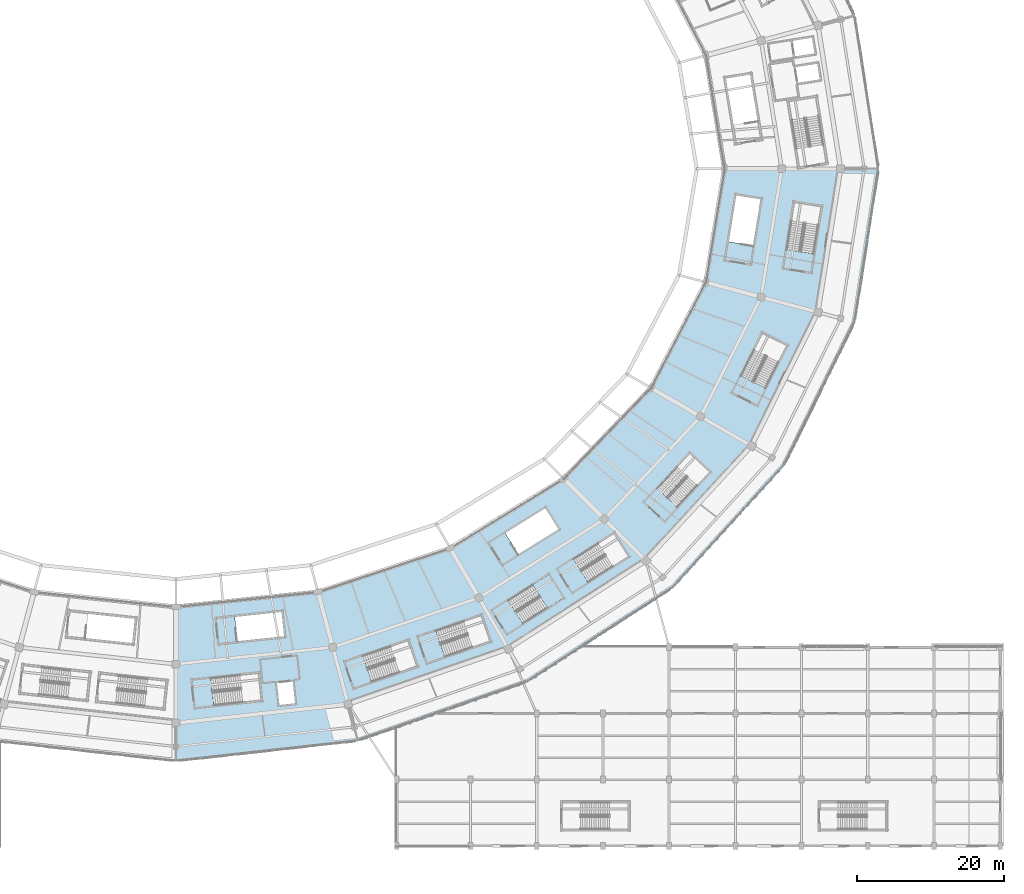
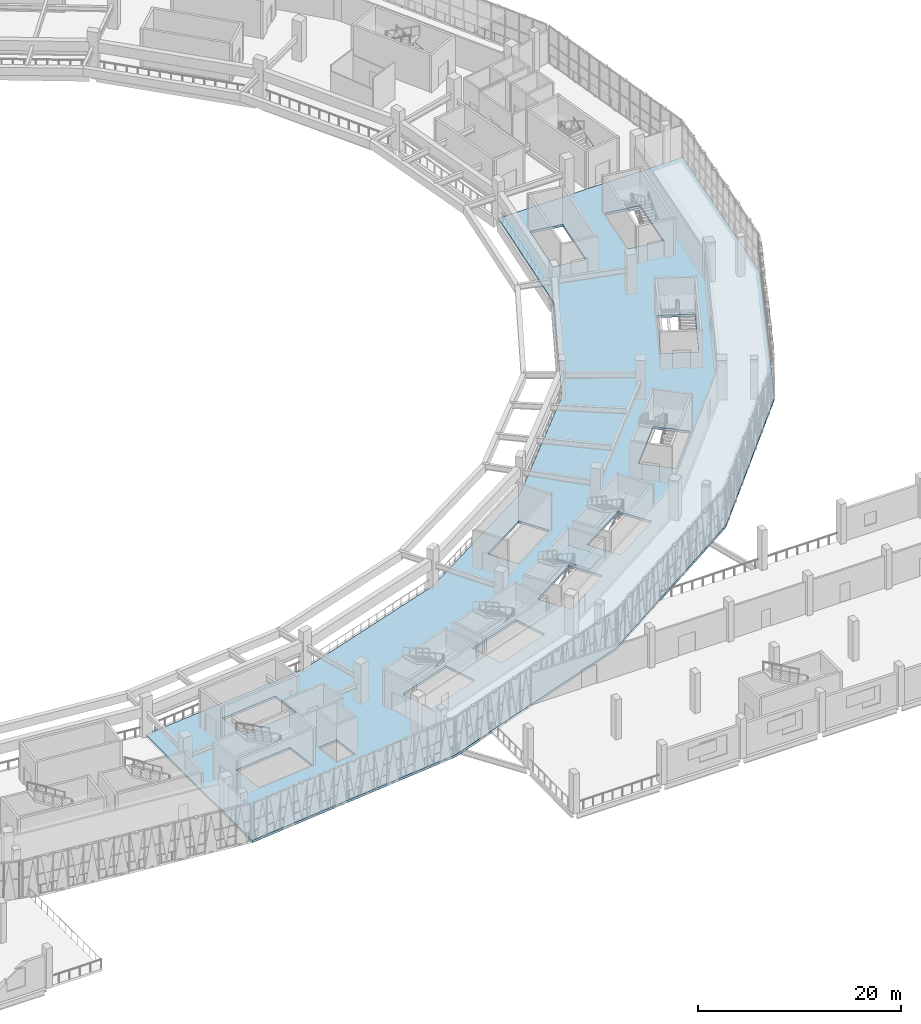
# One storey, part 84 of 179: 2 slabs, 1 element without a shape of its own.
"""IFC4 building model written with IfcOpenShell, lengths in metres."""

import ifcopenshell
import ifcopenshell.guid

model = None  # the IFC model being written
_history = None  # IfcOwnerHistory: only IFC2X3 demands one
_inside = {}  # id of a spatial element -> (the spatial element, [elements in it])
_under = {}  # id of a project, library or spatial element -> (it, [spatial elements below it])
_declared = {}  # id of a project -> (the project, [libraries it declares])
_typed = {}  # id of a type object -> (the type object, [elements of that type])
_made_of = {}  # id of a material, layer set ... -> (it, [elements and type objects made of it])


def new_model(schema):
    """Start an empty IFC model of exactly this schema.

    Asked for "IFC4X3", IfcOpenShell would pick the latest addendum, in which some entities
    have other attributes; the version numbers below select the first issue.
    IFC2X3 requires an IfcOwnerHistory on every rooted entity: one is made here for all.
    """
    global model, _history
    if schema == "IFC4X3":
        model = ifcopenshell.file(schema_version=(4, 3, 0, 0))
    else:
        model = ifcopenshell.file(schema=schema)
    _inside.clear()
    _under.clear()
    _declared.clear()
    _typed.clear()
    _made_of.clear()
    _history = None
    if model.schema == "IFC2X3":
        org = make("IfcOrganization", Name="unknown")
        user = make(
            "IfcPersonAndOrganization",
            ThePerson=make("IfcPerson", FamilyName="unknown"),
            TheOrganization=org,
        )
        app = make(
            "IfcApplication",
            ApplicationDeveloper=org,
            Version="unknown",
            ApplicationFullName="unknown",
            ApplicationIdentifier="unknown",
        )
        _history = make(
            "IfcOwnerHistory",
            OwningUser=user,
            OwningApplication=app,
            ChangeAction="ADDED",
            CreationDate=0,
        )
    return model


def make(cls, **values):
    """One entity of the class cls with the attributes given. An attribute that is None is left unset."""
    return model.create_entity(
        cls, **{name: value for name, value in values.items() if value is not None}
    )


def rooted(cls, **values):
    """An entity with a GlobalId (a new one), such as an element, a storey or a relation."""
    return make(cls, GlobalId=ifcopenshell.guid.new(), OwnerHistory=_history, **values)


def si_unit(unit_type, name, prefix=None):
    """IfcSIUnit, for example si_unit("LENGTHUNIT", "METRE", prefix="MILLI")."""
    return make("IfcSIUnit", UnitType=unit_type, Prefix=prefix, Name=name)


def assignment(units):
    """IfcUnitAssignment: the units of a project."""
    return None if units is None else make("IfcUnitAssignment", Units=units)


def point(xyz):
    """IfcCartesianPoint."""
    return None if xyz is None else make("IfcCartesianPoint", Coordinates=xyz)


def direction(xyz):
    """IfcDirection."""
    return None if xyz is None else make("IfcDirection", DirectionRatios=xyz)


def frame(location, z_axis=None, x_axis=None):
    """IfcAxis2Placement3D, a coordinate frame: its origin and axes. An axis left out is left unset."""
    return make(
        "IfcAxis2Placement3D",
        Location=point(location),
        Axis=direction(z_axis),
        RefDirection=direction(x_axis),
    )


def origin():
    """The frame at (0, 0, 0) with its axes left unset."""
    return frame((0.0, 0.0, 0.0))


def place(relative_to, where):
    """IfcLocalPlacement: puts the frame where relative to a parent placement (None: the world)."""
    return make(
        "IfcLocalPlacement", PlacementRelTo=relative_to, RelativePlacement=where
    )


def context(
    kind, dimensions, precision=None, world=None, true_north=None, identifier=None
):
    """IfcGeometricRepresentationContext, for example the 3D "Model" context."""
    return make(
        "IfcGeometricRepresentationContext",
        ContextIdentifier=identifier,
        ContextType=kind,
        CoordinateSpaceDimension=dimensions,
        Precision=precision,
        WorldCoordinateSystem=world,
        TrueNorth=true_north,
    )


def subcontext(parent, identifier, kind, view, scale=None):
    """IfcGeometricRepresentationSubContext, for example "Body" below "Model"."""
    return make(
        "IfcGeometricRepresentationSubContext",
        ContextIdentifier=identifier,
        ContextType=kind,
        ParentContext=parent,
        TargetScale=scale,
        TargetView=view,
    )


def project(units=None, contexts=None):
    """IfcProject with its units and contexts."""
    return rooted(
        "IfcProject",
        Name="project",
        RepresentationContexts=contexts,
        UnitsInContext=assignment(units),
    )


def spatial(cls, under=None, at=None, **own):
    """A site, building, storey or space (cls), placed at a placement, below another one or the project."""
    s = rooted(cls, ObjectPlacement=at, **own)
    if under is not None:
        _under.setdefault(under.id(), (under, []))[1].append(s)
    return s


def polyline(points):
    """IfcPolyline through the points."""
    return make("IfcPolyline", Points=[point(p) for p in points])


def outline(outer, holes=None, kind="AREA"):
    """IfcArbitraryClosedProfileDef: a profile drawn as a closed curve; with holes, ...WithVoids."""
    if holes is None:
        return make("IfcArbitraryClosedProfileDef", ProfileType=kind, OuterCurve=outer)
    return make(
        "IfcArbitraryProfileDefWithVoids",
        ProfileType=kind,
        OuterCurve=outer,
        InnerCurves=holes,
    )


def extrude(swept, where, along, depth):
    """IfcExtrudedAreaSolid: the profile swept, set in the frame where, extruded along a direction by depth."""
    return make(
        "IfcExtrudedAreaSolid",
        SweptArea=swept,
        Position=where,
        ExtrudedDirection=direction(along),
        Depth=depth,
    )


def shape(context_of_items, identifier, shape_type, items):
    """IfcShapeRepresentation: the items that make up one representation, for example the "Body"."""
    return make(
        "IfcShapeRepresentation",
        ContextOfItems=context_of_items,
        RepresentationIdentifier=identifier,
        RepresentationType=shape_type,
        Items=items,
    )


def material(Name=None, Category=None):
    """IfcMaterial."""
    return make("IfcMaterial", Name=Name, Category=Category)


def layer(
    of_material, thickness, ventilated=None, Name=None, Category=None, Priority=None
):
    """IfcMaterialLayer: one layer of a wall or slab, of a material (None: an air gap)."""
    return make(
        "IfcMaterialLayer",
        Material=of_material,
        LayerThickness=thickness,
        IsVentilated=ventilated,
        Name=Name,
        Category=Category,
        Priority=Priority,
    )


def layer_set(layers, Name=None):
    """IfcMaterialLayerSet."""
    return make("IfcMaterialLayerSet", MaterialLayers=layers, LayerSetName=Name)


def made_of(thing, what):
    """Note that an element or type object is made of a material, layer set ...; save() writes the relation."""
    if what is not None:
        _made_of.setdefault(what.id(), (what, []))[1].append(thing)
    return thing


def type_object(cls, material=None, **own):
    """A type object (cls), such as IfcWallType, which elements share."""
    return made_of(rooted(cls, **own), material)


def element(
    cls,
    number,
    at=None,
    inside=None,
    cuts=None,
    type_object=None,
    material=None,
    context=None,
    identifier="Body",
    shape_type=None,
    held_by="IfcProductDefinitionShape",
    body=None,
    shapes=None,
    **own,
):
    """One element of the class cls, such as IfcWall. Its Tag is "e" and its number.

    at: its placement. inside: the storey or other place that contains it. cuts: it is an
    opening in that element (IfcRelVoidsElement). A single representation is given by context,
    identifier, shape_type and body (its items); several are given by shapes. held_by: the class
    of the entity that holds the representations. save() writes the other relations.
    """
    e = rooted(cls, Tag="e%d" % number, ObjectPlacement=at, **own)
    if body is not None:
        shapes = [shape(context, identifier, shape_type, body)]
    if shapes is not None:
        e.Representation = make(held_by, Representations=shapes)
    if inside is not None:
        _inside.setdefault(inside.id(), (inside, []))[1].append(e)
    if cuts is not None:
        rooted(
            "IfcRelVoidsElement", RelatingBuildingElement=cuts, RelatedOpeningElement=e
        )
    if type_object is not None:
        _typed.setdefault(type_object.id(), (type_object, []))[1].append(e)
    return made_of(e, material)


def aggregate(whole, parts):
    """IfcRelAggregates: a whole, such as a stair, and the parts it consists of."""
    return rooted("IfcRelAggregates", RelatingObject=whole, RelatedObjects=parts)


def save(model, path):
    """Write the relations noted so far, then the file.

    IfcRelAggregates (storeys below a building ...), IfcRelContainedInSpatialStructure (elements
    in a storey), IfcRelDefinesByType, IfcRelAssociatesMaterial and IfcRelDeclares: one each for
    every whole, place, type object, material and project.
    """
    for whole, parts in _under.values():
        aggregate(whole, parts)
    for where, things in _inside.values():
        rooted(
            "IfcRelContainedInSpatialStructure",
            RelatedElements=things,
            RelatingStructure=where,
        )
    for kind, things in _typed.values():
        rooted("IfcRelDefinesByType", RelatedObjects=things, RelatingType=kind)
    for what, things in _made_of.values():
        rooted("IfcRelAssociatesMaterial", RelatedObjects=things, RelatingMaterial=what)
    for by, libraries in _declared.values():
        rooted("IfcRelDeclares", RelatingContext=by, RelatedDefinitions=libraries)
    model.write(path)


model = new_model("IFC4")

# Units and contexts
model_context = context("Model", 3, precision=1e-05, world=origin(), true_north=direction((0.0, 1.0)))
body_context = subcontext(model_context, "Body", "Model", "MODEL_VIEW")
ifc_project = project(units=[si_unit("LENGTHUNIT", "METRE"), si_unit("AREAUNIT", "SQUARE_METRE"), si_unit("VOLUMEUNIT", "CUBIC_METRE"), si_unit("PLANEANGLEUNIT", "RADIAN"), si_unit("MASSUNIT", "GRAM", prefix="KILO")], contexts=[model_context])

# Site, building, storey
site_placement = place(None, origin())
site = spatial("IfcSite", under=ifc_project, at=site_placement, CompositionType="ELEMENT")
building_placement = place(site_placement, origin())
building = spatial("IfcBuilding", under=site, at=building_placement, Name="Zevraka Park Crest Stadium", CompositionType="ELEMENT")
storey_placement = place(building_placement, frame((0.0, 0.0, 10.199951171875)))
storey = spatial("IfcBuildingStorey", under=building, at=storey_placement, Name="L02", CompositionType="ELEMENT", Elevation=10.199951171875)

# Slab
ifc_material_1 = material(Name="Concrete C35/45", Category="concrete")
ifc_layer_1 = layer(ifc_material_1, 0.280029296875)
ifc_layer_set_1 = layer_set([ifc_layer_1], Name="Concrete C35/45")
slab_type_1 = type_object("IfcSlabType", Name="FS02", PredefinedType="FLOOR", material=ifc_layer_set_1)
slab_1_placement = place(storey_placement, frame((0.0, 0.0, -0.280029296875)))
element("IfcSlab", 1, at=slab_1_placement, inside=storey, type_object=slab_type_1, Name="Bowl Concourse Ring Slab L02 Q4-SE-1", PredefinedType="FLOOR", context=body_context, shape_type="SweptSolid", body=[
    extrude(outline(polyline([(131.281982421875, 34.527099609375), (149.25, 40.470947265625), (164.678955078125, 49.927001953125), (176.51904296875, 62.25), (183.9609375, 76.60009765625), (186.5, 92.0), (207.5, 92.0), (204.24609375, 71.1650390625), (194.705078125, 51.75), (179.529052734375, 35.077880859375), (159.75, 22.284912109375), (136.717041015625, 14.242919921875), (112.0, 11.5), (112.0, 32.5), (131.281982421875, 34.527099609375)]), holes=[polyline([(127.885009765625, 22.343994140625), (125.697998046875, 22.10498046875), (126.02294921875, 19.1220703125), (128.2099609375, 19.361083984375), (127.885009765625, 22.343994140625)]), polyline([(123.634033203125, 19.77490234375), (123.22705078125, 23.512939453125), (116.7451171875, 22.80810546875), (117.152099609375, 19.070068359375), (123.634033203125, 19.77490234375)]), polyline([(144.780029296875, 24.403076171875), (143.56201171875, 27.9599609375), (137.39306640625, 25.847900390625), (138.612060546875, 22.291015625), (144.780029296875, 24.403076171875)]), polyline([(153.49609375, 31.361083984375), (147.326904296875, 29.2490234375), (148.5458984375, 25.69189453125), (154.714111328125, 27.803955078125), (153.49609375, 31.361083984375)]), polyline([(126.779052734375, 28.43310546875), (126.412109375, 31.8740234375), (119.97900390625, 31.18896484375), (120.344970703125, 27.7490234375), (126.779052734375, 28.43310546875)]), polyline([(164.032958984375, 43.02001953125), (162.2080078125, 45.9599609375), (156.7109375, 42.549072265625), (158.534912109375, 39.60888671875), (164.032958984375, 43.02001953125)]), polyline([(162.64794921875, 36.881103515625), (157.14306640625, 33.387939453125), (159.156982421875, 30.212890625), (164.6630859375, 33.7060546875), (162.64794921875, 36.881103515625)]), polyline([(173.529052734375, 39.3310546875), (171.513916015625, 42.506103515625), (166.009033203125, 39.012939453125), (168.02294921875, 35.837890625), (173.529052734375, 39.3310546875)]), polyline([(184.572998046875, 50.822998046875), (181.81689453125, 53.381103515625), (177.382080078125, 48.60205078125), (180.137939453125, 46.0439453125), (184.572998046875, 50.822998046875)]), polyline([(191.6689453125, 69.721923828125), (188.748046875, 63.89208984375), (192.110107421875, 62.2080078125), (195.031005859375, 68.037109375), (191.6689453125, 69.721923828125)]), polyline([(199.69189453125, 86.906982421875), (195.97900390625, 87.4990234375), (194.9541015625, 81.06005859375), (198.6669921875, 80.468994140625), (199.69189453125, 86.906982421875)]), polyline([(191.489990234375, 87.93408203125), (188.074951171875, 88.489990234375), (187.035888671875, 82.10400390625), (190.450927734375, 81.548095703125), (191.489990234375, 87.93408203125)])]), origin(), (0.0, 0.0, 1.0), 0.280029296875),
])

# Stair, slab
ifc_material_2 = material(Name="Concrete C35/45", Category="concrete")
stair_type = type_object("IfcStairType", Name="STA2", PredefinedType="HALF_TURN_STAIR", material=ifc_material_2)
stair_placement = place(storey_placement, origin())
stair = element("IfcStair", 2, at=stair_placement, inside=storey, type_object=stair_type, Name="L02 Protected Concourse Exit Stair ST21", PredefinedType="HALF_TURN_STAIR")
ifc_material_3 = material(Name="Concrete C35/45", Category="concrete")
ifc_layer_2 = layer(ifc_material_3, 0.199951171875)
ifc_layer_set_2 = layer_set([ifc_layer_2], Name="Concrete C35/45")
slab_type_2 = type_object("IfcSlabType", Name="LS01", PredefinedType="LANDING", material=ifc_layer_set_2)
slab_2_placement = place(storey_placement, frame((0.0, 0.0, 2.199951171875)))
slab_2 = element("IfcSlab", 3, at=slab_2_placement, type_object=slab_type_2, Name="ST21 landing 1", PredefinedType="LANDING", context=body_context, shape_type="SweptSolid", body=[
    extrude(outline(polyline([(162.458984375, 32.30810546875), (164.662841796875, 33.706298828125), (162.6484375, 36.881103515625), (160.444580078125, 35.48291015625), (162.458984375, 32.30810546875)])), origin(), (0.0, 0.0, 1.0), 0.2001953125),
])
aggregate(stair, [slab_2])

save(model, "model.ifc")
